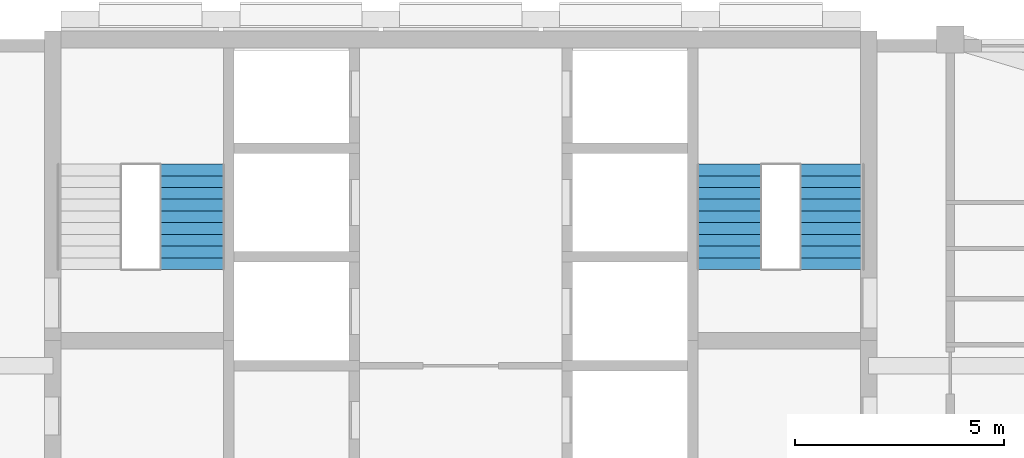
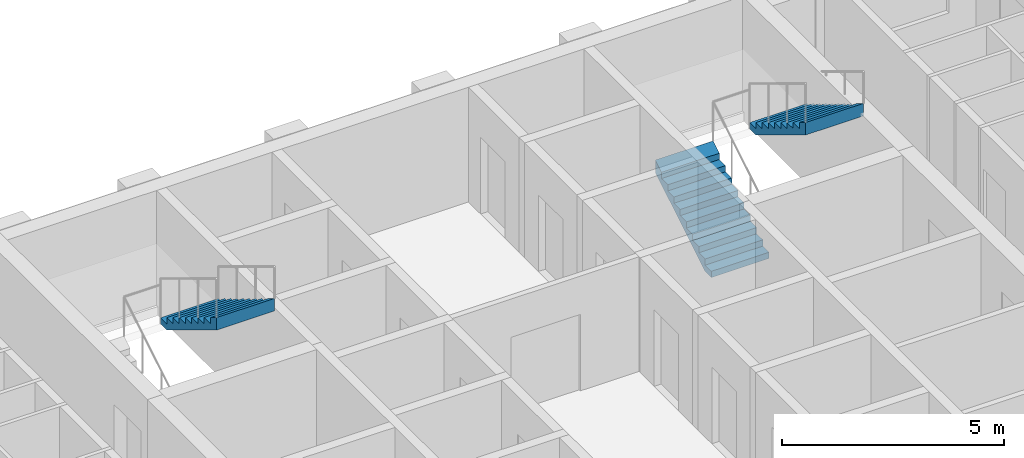
# One storey, part 11 of 13: 3 stair flights, 2 elements without a shape of their own.
"""IFC4 building model written with IfcOpenShell, lengths in metres."""

from ifc_helpers import new_model, si_unit, direction, frame, origin, place, context, subcontext, project, spatial, triangles, material, type_object, element, aggregate, save


model = new_model("IFC4")

# Units and contexts
model_context = context("Model", 3, precision=1e-05, world=origin(), true_north=direction((0.0, 1.0)))
body_context = subcontext(model_context, "Body", "Model", "MODEL_VIEW")
ifc_project = project(units=[si_unit("LENGTHUNIT", "METRE"), si_unit("AREAUNIT", "SQUARE_METRE"), si_unit("VOLUMEUNIT", "CUBIC_METRE"), si_unit("PLANEANGLEUNIT", "RADIAN"), si_unit("MASSUNIT", "GRAM", prefix="KILO")], contexts=[model_context])

# Site, building, storey
site_placement = place(None, origin())
site = spatial("IfcSite", under=ifc_project, at=site_placement, CompositionType="ELEMENT")
building_placement = place(site_placement, origin())
building = spatial("IfcBuilding", under=site, at=building_placement, Name="Ludao Terraces", CompositionType="ELEMENT")
storey_placement = place(building_placement, frame((0.0, 0.0, 252.800048828125)))
storey = spatial("IfcBuildingStorey", under=building, at=storey_placement, Name="L69", CompositionType="ELEMENT", Elevation=252.800048828125)

# Stair, stair flight
ifc_material = material(Name="Concrete C40", Category="concrete")
stair_type = type_object("IfcStairType", Name="INT Stair", PredefinedType="HALF_TURN_STAIR", material=ifc_material)
stair_1_placement = place(storey_placement, origin())
stair_1 = element("IfcStair", 1, at=stair_1_placement, inside=storey, type_object=stair_type, Name="EXIT STAIR 1", PredefinedType="HALF_TURN_STAIR")
stair_flight_type = type_object("IfcStairFlightType", Name="INT Stair flight", PredefinedType="STRAIGHT", material=ifc_material)
stair_flight_1_placement = place(storey_placement, frame((78.574951171875, 81.52001953125, 1.699951171875), z_axis=(0.0, 0.0, 1.0), x_axis=(0.0, -1.0, 0.0)))
stair_flight_1 = element("IfcStairFlight", 2, at=stair_flight_1_placement, type_object=stair_flight_type, Name="ST1 flight 2", NumberOfRisers=10, NumberOfTreads=9, PredefinedType="STRAIGHT", RiserHeight=0.17, TreadLength=0.28, context=body_context, shape_type="Tessellation", body=[
    triangles([(0.0, -0.75, 0.0), (0.0, -0.5, 0.0), (0.0, -0.25, 0.0), (0.0, 0.0, 0.0), (0.0, 0.25, 0.0), (0.0, 0.5, 0.0), (0.0, 0.75, 0.0), (0.0, -0.75, 0.169921875), (0.0, -0.5, 0.169921875), (0.0, -0.25, 0.169921875), (0.0, 0.0, 0.169921875), (0.0, 0.25, 0.169921875), (0.0, 0.5, 0.169921875), (0.0, 0.75, 0.169921875), (0.280029296875, -0.75, 0.169921875), (0.280029296875, -0.5, 0.169921875), (0.280029296875, -0.25, 0.169921875), (0.280029296875, 0.0, 0.169921875), (0.280029296875, 0.25, 0.169921875), (0.280029296875, 0.5, 0.169921875), (0.280029296875, 0.75, 0.169921875), (0.280029296875, -0.75, 0.340087890625), (0.280029296875, -0.5, 0.340087890625), (0.280029296875, -0.25, 0.340087890625), (0.280029296875, 0.0, 0.340087890625), (0.280029296875, 0.25, 0.340087890625), (0.280029296875, 0.5, 0.340087890625), (0.280029296875, 0.75, 0.340087890625), (0.56005859375, -0.75, 0.340087890625), (0.56005859375, -0.5, 0.340087890625), (0.56005859375, -0.25, 0.340087890625), (0.56005859375, 0.0, 0.340087890625), (0.56005859375, 0.25, 0.340087890625), (0.56005859375, 0.5, 0.340087890625), (0.56005859375, 0.75, 0.340087890625), (0.56005859375, -0.75, 0.510009765625), (0.56005859375, -0.5, 0.510009765625), (0.56005859375, -0.25, 0.510009765625), (0.56005859375, 0.0, 0.510009765625), (0.56005859375, 0.25, 0.510009765625), (0.56005859375, 0.5, 0.510009765625), (0.56005859375, 0.75, 0.510009765625), (0.840087890625, -0.75, 0.510009765625), (0.840087890625, -0.5, 0.510009765625), (0.840087890625, -0.25, 0.510009765625), (0.840087890625, 0.0, 0.510009765625), (0.840087890625, 0.25, 0.510009765625), (0.840087890625, 0.5, 0.510009765625), (0.840087890625, 0.75, 0.510009765625), (0.840087890625, -0.75, 0.679931640625), (0.840087890625, -0.5, 0.679931640625), (0.840087890625, -0.25, 0.679931640625), (0.840087890625, 0.0, 0.679931640625), (0.840087890625, 0.25, 0.679931640625), (0.840087890625, 0.5, 0.679931640625), (0.840087890625, 0.75, 0.679931640625), (1.1201171875, -0.75, 0.679931640625), (1.1201171875, -0.5, 0.679931640625), (1.1201171875, -0.25, 0.679931640625), (1.1201171875, 0.0, 0.679931640625), (1.1201171875, 0.25, 0.679931640625), (1.1201171875, 0.5, 0.679931640625), (1.1201171875, 0.75, 0.679931640625), (1.1201171875, -0.75, 0.85009765625), (1.1201171875, -0.5, 0.85009765625), (1.1201171875, -0.25, 0.85009765625), (1.1201171875, 0.0, 0.85009765625), (1.1201171875, 0.25, 0.85009765625), (1.1201171875, 0.5, 0.85009765625), (1.1201171875, 0.75, 0.85009765625), (1.39990234375, -0.75, 0.85009765625), (1.39990234375, -0.5, 0.85009765625), (1.39990234375, -0.25, 0.85009765625), (1.39990234375, 0.0, 0.85009765625), (1.39990234375, 0.25, 0.85009765625), (1.39990234375, 0.5, 0.85009765625), (1.39990234375, 0.75, 0.85009765625), (1.39990234375, -0.75, 1.02001953125), (1.39990234375, -0.5, 1.02001953125), (1.39990234375, -0.25, 1.02001953125), (1.39990234375, 0.0, 1.02001953125), (1.39990234375, 0.25, 1.02001953125), (1.39990234375, 0.5, 1.02001953125), (1.39990234375, 0.75, 1.02001953125), (1.679931640625, -0.75, 1.02001953125), (1.679931640625, -0.5, 1.02001953125), (1.679931640625, -0.25, 1.02001953125), (1.679931640625, 0.0, 1.02001953125), (1.679931640625, 0.25, 1.02001953125), (1.679931640625, 0.5, 1.02001953125), (1.679931640625, 0.75, 1.02001953125), (1.679931640625, -0.75, 1.18994140625), (1.679931640625, -0.5, 1.18994140625), (1.679931640625, -0.25, 1.18994140625), (1.679931640625, 0.0, 1.18994140625), (1.679931640625, 0.25, 1.18994140625), (1.679931640625, 0.5, 1.18994140625), (1.679931640625, 0.75, 1.18994140625), (1.9599609375, -0.75, 1.18994140625), (1.9599609375, -0.5, 1.18994140625), (1.9599609375, -0.25, 1.18994140625), (1.9599609375, 0.0, 1.18994140625), (1.9599609375, 0.25, 1.18994140625), (1.9599609375, 0.5, 1.18994140625), (1.9599609375, 0.75, 1.18994140625), (1.9599609375, -0.75, 1.360107421875), (1.9599609375, -0.5, 1.360107421875), (1.9599609375, -0.25, 1.360107421875), (1.9599609375, 0.0, 1.360107421875), (1.9599609375, 0.25, 1.360107421875), (1.9599609375, 0.5, 1.360107421875), (1.9599609375, 0.75, 1.360107421875), (2.239990234375, -0.75, 1.360107421875), (2.239990234375, -0.5, 1.360107421875), (2.239990234375, -0.25, 1.360107421875), (2.239990234375, 0.0, 1.360107421875), (2.239990234375, 0.25, 1.360107421875), (2.239990234375, 0.5, 1.360107421875), (2.239990234375, 0.75, 1.360107421875), (2.239990234375, -0.75, 1.530029296875), (2.239990234375, -0.5, 1.530029296875), (2.239990234375, -0.25, 1.530029296875), (2.239990234375, 0.0, 1.530029296875), (2.239990234375, 0.25, 1.530029296875), (2.239990234375, 0.5, 1.530029296875), (2.239990234375, 0.75, 1.530029296875), (2.52001953125, -0.75, 1.699951171875), (2.52001953125, -0.5, 1.699951171875), (2.52001953125, -0.25, 1.699951171875), (2.52001953125, 0.0, 1.699951171875), (2.52001953125, 0.25, 1.699951171875), (2.52001953125, 0.5, 1.699951171875), (2.52001953125, 0.75, 1.699951171875), (2.52001953125, -0.75, 1.354736328125), (2.52001953125, -0.5, 1.354736328125), (2.52001953125, -0.25, 1.354736328125), (2.52001953125, 0.0, 1.354736328125), (2.52001953125, 0.25, 1.354736328125), (2.52001953125, 0.5, 1.354736328125), (2.52001953125, 0.75, 1.354736328125), (0.288818359375, -0.75, 0.0), (0.288818359375, -0.5, 0.0), (0.288818359375, -0.25, 0.0), (0.288818359375, 0.0, 0.0), (0.288818359375, 0.25, 0.0), (0.288818359375, 0.5, 0.0), (0.288818359375, 0.75, 0.0)], [[1, 141, 134], [7, 140, 147], [134, 127, 120], [140, 126, 133], [134, 120, 113], [140, 119, 126], [134, 113, 106], [140, 112, 119], [134, 106, 99], [140, 105, 112], [99, 92, 85], [105, 91, 98], [134, 99, 85], [140, 91, 105], [85, 78, 71], [91, 77, 84], [134, 85, 71], [140, 77, 91], [71, 64, 57], [77, 63, 70], [134, 71, 57], [140, 63, 77], [57, 50, 43], [63, 49, 56], [134, 57, 43], [140, 49, 63], [43, 36, 29], [49, 35, 42], [134, 43, 29], [140, 35, 49], [29, 22, 15], [35, 21, 28], [134, 29, 15], [140, 21, 35], [1, 134, 15], [7, 21, 140], [15, 8, 1], [21, 7, 14], [1, 9, 2], [1, 8, 9], [2, 10, 3], [2, 9, 10], [3, 11, 4], [3, 10, 11], [4, 12, 5], [4, 11, 12], [5, 13, 6], [5, 12, 13], [6, 14, 7], [6, 13, 14], [8, 16, 9], [8, 15, 16], [9, 17, 10], [9, 16, 17], [10, 18, 11], [10, 17, 18], [11, 19, 12], [11, 18, 19], [12, 20, 13], [12, 19, 20], [13, 21, 14], [13, 20, 21], [15, 23, 16], [15, 22, 23], [16, 24, 17], [16, 23, 24], [17, 25, 18], [17, 24, 25], [18, 26, 19], [18, 25, 26], [19, 27, 20], [19, 26, 27], [20, 28, 21], [20, 27, 28], [22, 30, 23], [22, 29, 30], [23, 31, 24], [23, 30, 31], [24, 32, 25], [24, 31, 32], [25, 33, 26], [25, 32, 33], [26, 34, 27], [26, 33, 34], [27, 35, 28], [27, 34, 35], [29, 37, 30], [29, 36, 37], [30, 38, 31], [30, 37, 38], [31, 39, 32], [31, 38, 39], [32, 40, 33], [32, 39, 40], [33, 41, 34], [33, 40, 41], [34, 42, 35], [34, 41, 42], [36, 44, 37], [36, 43, 44], [37, 45, 38], [37, 44, 45], [38, 46, 39], [38, 45, 46], [39, 47, 40], [39, 46, 47], [40, 48, 41], [40, 47, 48], [41, 49, 42], [41, 48, 49], [43, 51, 44], [43, 50, 51], [44, 52, 45], [44, 51, 52], [45, 53, 46], [45, 52, 53], [46, 54, 47], [46, 53, 54], [47, 55, 48], [47, 54, 55], [48, 56, 49], [48, 55, 56], [50, 58, 51], [50, 57, 58], [51, 59, 52], [51, 58, 59], [52, 60, 53], [52, 59, 60], [53, 61, 54], [53, 60, 61], [54, 62, 55], [54, 61, 62], [55, 63, 56], [55, 62, 63], [57, 65, 58], [57, 64, 65], [58, 66, 59], [58, 65, 66], [59, 67, 60], [59, 66, 67], [60, 68, 61], [60, 67, 68], [61, 69, 62], [61, 68, 69], [62, 70, 63], [62, 69, 70], [64, 72, 65], [64, 71, 72], [65, 73, 66], [65, 72, 73], [66, 74, 67], [66, 73, 74], [67, 75, 68], [67, 74, 75], [68, 76, 69], [68, 75, 76], [69, 77, 70], [69, 76, 77], [71, 79, 72], [71, 78, 79], [72, 80, 73], [72, 79, 80], [73, 81, 74], [73, 80, 81], [74, 82, 75], [74, 81, 82], [75, 83, 76], [75, 82, 83], [76, 84, 77], [76, 83, 84], [78, 86, 79], [78, 85, 86], [79, 87, 80], [79, 86, 87], [80, 88, 81], [80, 87, 88], [81, 89, 82], [81, 88, 89], [82, 90, 83], [82, 89, 90], [83, 91, 84], [83, 90, 91], [85, 93, 86], [85, 92, 93], [86, 94, 87], [86, 93, 94], [87, 95, 88], [87, 94, 95], [88, 96, 89], [88, 95, 96], [89, 97, 90], [89, 96, 97], [90, 98, 91], [90, 97, 98], [92, 100, 93], [92, 99, 100], [93, 101, 94], [93, 100, 101], [94, 102, 95], [94, 101, 102], [95, 103, 96], [95, 102, 103], [96, 104, 97], [96, 103, 104], [97, 105, 98], [97, 104, 105], [99, 107, 100], [99, 106, 107], [100, 108, 101], [100, 107, 108], [101, 109, 102], [101, 108, 109], [102, 110, 103], [102, 109, 110], [103, 111, 104], [103, 110, 111], [104, 112, 105], [104, 111, 112], [106, 114, 107], [106, 113, 114], [107, 115, 108], [107, 114, 115], [108, 116, 109], [108, 115, 116], [109, 117, 110], [109, 116, 117], [110, 118, 111], [110, 117, 118], [111, 119, 112], [111, 118, 119], [113, 121, 114], [113, 120, 121], [114, 122, 115], [114, 121, 122], [115, 123, 116], [115, 122, 123], [116, 124, 117], [116, 123, 124], [117, 125, 118], [117, 124, 125], [118, 126, 119], [118, 125, 126], [120, 128, 121], [120, 127, 128], [121, 129, 122], [121, 128, 129], [122, 130, 123], [122, 129, 130], [123, 131, 124], [123, 130, 131], [124, 132, 125], [124, 131, 132], [125, 133, 126], [125, 132, 133], [127, 135, 128], [127, 134, 135], [128, 136, 129], [128, 135, 136], [129, 137, 130], [129, 136, 137], [130, 138, 131], [130, 137, 138], [131, 139, 132], [131, 138, 139], [132, 140, 133], [132, 139, 140], [134, 142, 135], [134, 141, 142], [135, 143, 136], [135, 142, 143], [136, 144, 137], [136, 143, 144], [137, 145, 138], [137, 144, 145], [138, 146, 139], [138, 145, 146], [139, 147, 140], [139, 146, 147], [141, 2, 142], [141, 1, 2], [142, 3, 143], [142, 2, 3], [143, 4, 144], [143, 3, 4], [144, 5, 145], [144, 4, 5], [145, 6, 146], [145, 5, 6], [146, 7, 147], [146, 6, 7]], closed=True),
])
aggregate(stair_1, [stair_flight_1])

# Stair, stair flights
stair_2_placement = place(storey_placement, origin())
stair_2 = element("IfcStair", 3, at=stair_2_placement, inside=storey, type_object=stair_type, Name="EXIT STAIR 2", PredefinedType="HALF_TURN_STAIR")
stair_flight_2_placement = place(storey_placement, frame((91.425048828125, 79.0, 0.0), z_axis=(0.0, 0.0, 1.0), x_axis=(0.0, 1.0, 0.0)))
stair_flight_2 = element("IfcStairFlight", 4, at=stair_flight_2_placement, type_object=stair_flight_type, Name="ST2 flight 1", NumberOfRisers=10, NumberOfTreads=9, PredefinedType="STRAIGHT", RiserHeight=0.17, TreadLength=0.28, context=body_context, shape_type="Tessellation", body=[
    triangles([(0.0, -0.75, 0.0), (0.0, -0.5, 0.0), (0.0, -0.25, 0.0), (0.0, 0.0, 0.0), (0.0, 0.25, 0.0), (0.0, 0.5, 0.0), (0.0, 0.75, 0.0), (0.0, -0.75, 0.169921875), (0.0, -0.5, 0.169921875), (0.0, -0.25, 0.169921875), (0.0, 0.0, 0.169921875), (0.0, 0.25, 0.169921875), (0.0, 0.5, 0.169921875), (0.0, 0.75, 0.169921875), (0.280029296875, -0.75, 0.169921875), (0.280029296875, -0.5, 0.169921875), (0.280029296875, -0.25, 0.169921875), (0.280029296875, 0.0, 0.169921875), (0.280029296875, 0.25, 0.169921875), (0.280029296875, 0.5, 0.169921875), (0.280029296875, 0.75, 0.169921875), (0.280029296875, -0.75, 0.340087890625), (0.280029296875, -0.5, 0.340087890625), (0.280029296875, -0.25, 0.340087890625), (0.280029296875, 0.0, 0.340087890625), (0.280029296875, 0.25, 0.340087890625), (0.280029296875, 0.5, 0.340087890625), (0.280029296875, 0.75, 0.340087890625), (0.56005859375, -0.75, 0.340087890625), (0.56005859375, -0.5, 0.340087890625), (0.56005859375, -0.25, 0.340087890625), (0.56005859375, 0.0, 0.340087890625), (0.56005859375, 0.25, 0.340087890625), (0.56005859375, 0.5, 0.340087890625), (0.56005859375, 0.75, 0.340087890625), (0.56005859375, -0.75, 0.510009765625), (0.56005859375, -0.5, 0.510009765625), (0.56005859375, -0.25, 0.510009765625), (0.56005859375, 0.0, 0.510009765625), (0.56005859375, 0.25, 0.510009765625), (0.56005859375, 0.5, 0.510009765625), (0.56005859375, 0.75, 0.510009765625), (0.840087890625, -0.75, 0.510009765625), (0.840087890625, -0.5, 0.510009765625), (0.840087890625, -0.25, 0.510009765625), (0.840087890625, 0.0, 0.510009765625), (0.840087890625, 0.25, 0.510009765625), (0.840087890625, 0.5, 0.510009765625), (0.840087890625, 0.75, 0.510009765625), (0.840087890625, -0.75, 0.679931640625), (0.840087890625, -0.5, 0.679931640625), (0.840087890625, -0.25, 0.679931640625), (0.840087890625, 0.0, 0.679931640625), (0.840087890625, 0.25, 0.679931640625), (0.840087890625, 0.5, 0.679931640625), (0.840087890625, 0.75, 0.679931640625), (1.1201171875, -0.75, 0.679931640625), (1.1201171875, -0.5, 0.679931640625), (1.1201171875, -0.25, 0.679931640625), (1.1201171875, 0.0, 0.679931640625), (1.1201171875, 0.25, 0.679931640625), (1.1201171875, 0.5, 0.679931640625), (1.1201171875, 0.75, 0.679931640625), (1.1201171875, -0.75, 0.85009765625), (1.1201171875, -0.5, 0.85009765625), (1.1201171875, -0.25, 0.85009765625), (1.1201171875, 0.0, 0.85009765625), (1.1201171875, 0.25, 0.85009765625), (1.1201171875, 0.5, 0.85009765625), (1.1201171875, 0.75, 0.85009765625), (1.39990234375, -0.75, 0.85009765625), (1.39990234375, -0.5, 0.85009765625), (1.39990234375, -0.25, 0.85009765625), (1.39990234375, 0.0, 0.85009765625), (1.39990234375, 0.25, 0.85009765625), (1.39990234375, 0.5, 0.85009765625), (1.39990234375, 0.75, 0.85009765625), (1.39990234375, -0.75, 1.02001953125), (1.39990234375, -0.5, 1.02001953125), (1.39990234375, -0.25, 1.02001953125), (1.39990234375, 0.0, 1.02001953125), (1.39990234375, 0.25, 1.02001953125), (1.39990234375, 0.5, 1.02001953125), (1.39990234375, 0.75, 1.02001953125), (1.679931640625, -0.75, 1.02001953125), (1.679931640625, -0.5, 1.02001953125), (1.679931640625, -0.25, 1.02001953125), (1.679931640625, 0.0, 1.02001953125), (1.679931640625, 0.25, 1.02001953125), (1.679931640625, 0.5, 1.02001953125), (1.679931640625, 0.75, 1.02001953125), (1.679931640625, -0.75, 1.18994140625), (1.679931640625, -0.5, 1.18994140625), (1.679931640625, -0.25, 1.18994140625), (1.679931640625, 0.0, 1.18994140625), (1.679931640625, 0.25, 1.18994140625), (1.679931640625, 0.5, 1.18994140625), (1.679931640625, 0.75, 1.18994140625), (1.9599609375, -0.75, 1.18994140625), (1.9599609375, -0.5, 1.18994140625), (1.9599609375, -0.25, 1.18994140625), (1.9599609375, 0.0, 1.18994140625), (1.9599609375, 0.25, 1.18994140625), (1.9599609375, 0.5, 1.18994140625), (1.9599609375, 0.75, 1.18994140625), (1.9599609375, -0.75, 1.360107421875), (1.9599609375, -0.5, 1.360107421875), (1.9599609375, -0.25, 1.360107421875), (1.9599609375, 0.0, 1.360107421875), (1.9599609375, 0.25, 1.360107421875), (1.9599609375, 0.5, 1.360107421875), (1.9599609375, 0.75, 1.360107421875), (2.239990234375, -0.75, 1.360107421875), (2.239990234375, -0.5, 1.360107421875), (2.239990234375, -0.25, 1.360107421875), (2.239990234375, 0.0, 1.360107421875), (2.239990234375, 0.25, 1.360107421875), (2.239990234375, 0.5, 1.360107421875), (2.239990234375, 0.75, 1.360107421875), (2.239990234375, -0.75, 1.530029296875), (2.239990234375, -0.5, 1.530029296875), (2.239990234375, -0.25, 1.530029296875), (2.239990234375, 0.0, 1.530029296875), (2.239990234375, 0.25, 1.530029296875), (2.239990234375, 0.5, 1.530029296875), (2.239990234375, 0.75, 1.530029296875), (2.52001953125, -0.75, 1.699951171875), (2.52001953125, -0.5, 1.699951171875), (2.52001953125, -0.25, 1.699951171875), (2.52001953125, 0.0, 1.699951171875), (2.52001953125, 0.25, 1.699951171875), (2.52001953125, 0.5, 1.699951171875), (2.52001953125, 0.75, 1.699951171875), (2.52001953125, -0.75, 1.354736328125), (2.52001953125, -0.5, 1.354736328125), (2.52001953125, -0.25, 1.354736328125), (2.52001953125, 0.0, 1.354736328125), (2.52001953125, 0.25, 1.354736328125), (2.52001953125, 0.5, 1.354736328125), (2.52001953125, 0.75, 1.354736328125), (0.288818359375, -0.75, 0.0), (0.288818359375, -0.5, 0.0), (0.288818359375, -0.25, 0.0), (0.288818359375, 0.0, 0.0), (0.288818359375, 0.25, 0.0), (0.288818359375, 0.5, 0.0), (0.288818359375, 0.75, 0.0)], [[1, 141, 134], [7, 140, 147], [134, 127, 120], [140, 126, 133], [134, 120, 113], [140, 119, 126], [134, 113, 106], [140, 112, 119], [134, 106, 99], [140, 105, 112], [99, 92, 85], [105, 91, 98], [134, 99, 85], [140, 91, 105], [85, 78, 71], [91, 77, 84], [134, 85, 71], [140, 77, 91], [71, 64, 57], [77, 63, 70], [134, 71, 57], [140, 63, 77], [57, 50, 43], [63, 49, 56], [134, 57, 43], [140, 49, 63], [43, 36, 29], [49, 35, 42], [134, 43, 29], [140, 35, 49], [29, 22, 15], [35, 21, 28], [134, 29, 15], [140, 21, 35], [1, 134, 15], [7, 21, 140], [15, 8, 1], [21, 7, 14], [1, 9, 2], [1, 8, 9], [2, 10, 3], [2, 9, 10], [3, 11, 4], [3, 10, 11], [4, 12, 5], [4, 11, 12], [5, 13, 6], [5, 12, 13], [6, 14, 7], [6, 13, 14], [8, 16, 9], [8, 15, 16], [9, 17, 10], [9, 16, 17], [10, 18, 11], [10, 17, 18], [11, 19, 12], [11, 18, 19], [12, 20, 13], [12, 19, 20], [13, 21, 14], [13, 20, 21], [15, 23, 16], [15, 22, 23], [16, 24, 17], [16, 23, 24], [17, 25, 18], [17, 24, 25], [18, 26, 19], [18, 25, 26], [19, 27, 20], [19, 26, 27], [20, 28, 21], [20, 27, 28], [22, 30, 23], [22, 29, 30], [23, 31, 24], [23, 30, 31], [24, 32, 25], [24, 31, 32], [25, 33, 26], [25, 32, 33], [26, 34, 27], [26, 33, 34], [27, 35, 28], [27, 34, 35], [29, 37, 30], [29, 36, 37], [30, 38, 31], [30, 37, 38], [31, 39, 32], [31, 38, 39], [32, 40, 33], [32, 39, 40], [33, 41, 34], [33, 40, 41], [34, 42, 35], [34, 41, 42], [36, 44, 37], [36, 43, 44], [37, 45, 38], [37, 44, 45], [38, 46, 39], [38, 45, 46], [39, 47, 40], [39, 46, 47], [40, 48, 41], [40, 47, 48], [41, 49, 42], [41, 48, 49], [43, 51, 44], [43, 50, 51], [44, 52, 45], [44, 51, 52], [45, 53, 46], [45, 52, 53], [46, 54, 47], [46, 53, 54], [47, 55, 48], [47, 54, 55], [48, 56, 49], [48, 55, 56], [50, 58, 51], [50, 57, 58], [51, 59, 52], [51, 58, 59], [52, 60, 53], [52, 59, 60], [53, 61, 54], [53, 60, 61], [54, 62, 55], [54, 61, 62], [55, 63, 56], [55, 62, 63], [57, 65, 58], [57, 64, 65], [58, 66, 59], [58, 65, 66], [59, 67, 60], [59, 66, 67], [60, 68, 61], [60, 67, 68], [61, 69, 62], [61, 68, 69], [62, 70, 63], [62, 69, 70], [64, 72, 65], [64, 71, 72], [65, 73, 66], [65, 72, 73], [66, 74, 67], [66, 73, 74], [67, 75, 68], [67, 74, 75], [68, 76, 69], [68, 75, 76], [69, 77, 70], [69, 76, 77], [71, 79, 72], [71, 78, 79], [72, 80, 73], [72, 79, 80], [73, 81, 74], [73, 80, 81], [74, 82, 75], [74, 81, 82], [75, 83, 76], [75, 82, 83], [76, 84, 77], [76, 83, 84], [78, 86, 79], [78, 85, 86], [79, 87, 80], [79, 86, 87], [80, 88, 81], [80, 87, 88], [81, 89, 82], [81, 88, 89], [82, 90, 83], [82, 89, 90], [83, 91, 84], [83, 90, 91], [85, 93, 86], [85, 92, 93], [86, 94, 87], [86, 93, 94], [87, 95, 88], [87, 94, 95], [88, 96, 89], [88, 95, 96], [89, 97, 90], [89, 96, 97], [90, 98, 91], [90, 97, 98], [92, 100, 93], [92, 99, 100], [93, 101, 94], [93, 100, 101], [94, 102, 95], [94, 101, 102], [95, 103, 96], [95, 102, 103], [96, 104, 97], [96, 103, 104], [97, 105, 98], [97, 104, 105], [99, 107, 100], [99, 106, 107], [100, 108, 101], [100, 107, 108], [101, 109, 102], [101, 108, 109], [102, 110, 103], [102, 109, 110], [103, 111, 104], [103, 110, 111], [104, 112, 105], [104, 111, 112], [106, 114, 107], [106, 113, 114], [107, 115, 108], [107, 114, 115], [108, 116, 109], [108, 115, 116], [109, 117, 110], [109, 116, 117], [110, 118, 111], [110, 117, 118], [111, 119, 112], [111, 118, 119], [113, 121, 114], [113, 120, 121], [114, 122, 115], [114, 121, 122], [115, 123, 116], [115, 122, 123], [116, 124, 117], [116, 123, 124], [117, 125, 118], [117, 124, 125], [118, 126, 119], [118, 125, 126], [120, 128, 121], [120, 127, 128], [121, 129, 122], [121, 128, 129], [122, 130, 123], [122, 129, 130], [123, 131, 124], [123, 130, 131], [124, 132, 125], [124, 131, 132], [125, 133, 126], [125, 132, 133], [127, 135, 128], [127, 134, 135], [128, 136, 129], [128, 135, 136], [129, 137, 130], [129, 136, 137], [130, 138, 131], [130, 137, 138], [131, 139, 132], [131, 138, 139], [132, 140, 133], [132, 139, 140], [134, 142, 135], [134, 141, 142], [135, 143, 136], [135, 142, 143], [136, 144, 137], [136, 143, 144], [137, 145, 138], [137, 144, 145], [138, 146, 139], [138, 145, 146], [139, 147, 140], [139, 146, 147], [141, 2, 142], [141, 1, 2], [142, 3, 143], [142, 2, 3], [143, 4, 144], [143, 3, 4], [144, 5, 145], [144, 4, 5], [145, 6, 146], [145, 5, 6], [146, 7, 147], [146, 6, 7]], closed=True),
])
stair_flight_3_placement = place(storey_placement, frame((93.875, 81.52001953125, 1.699951171875), z_axis=(0.0, 0.0, 1.0), x_axis=(0.0, -1.0, 0.0)))
stair_flight_3 = element("IfcStairFlight", 5, at=stair_flight_3_placement, type_object=stair_flight_type, Name="ST2 flight 2", NumberOfRisers=10, NumberOfTreads=9, PredefinedType="STRAIGHT", RiserHeight=0.17, TreadLength=0.28, context=body_context, shape_type="Tessellation", body=[
    triangles([(0.0, -0.75, 0.0), (0.0, -0.5, 0.0), (0.0, -0.25, 0.0), (0.0, 0.0, 0.0), (0.0, 0.25, 0.0), (0.0, 0.5, 0.0), (0.0, 0.75, 0.0), (0.0, -0.75, 0.169921875), (0.0, -0.5, 0.169921875), (0.0, -0.25, 0.169921875), (0.0, 0.0, 0.169921875), (0.0, 0.25, 0.169921875), (0.0, 0.5, 0.169921875), (0.0, 0.75, 0.169921875), (0.280029296875, -0.75, 0.169921875), (0.280029296875, -0.5, 0.169921875), (0.280029296875, -0.25, 0.169921875), (0.280029296875, 0.0, 0.169921875), (0.280029296875, 0.25, 0.169921875), (0.280029296875, 0.5, 0.169921875), (0.280029296875, 0.75, 0.169921875), (0.280029296875, -0.75, 0.340087890625), (0.280029296875, -0.5, 0.340087890625), (0.280029296875, -0.25, 0.340087890625), (0.280029296875, 0.0, 0.340087890625), (0.280029296875, 0.25, 0.340087890625), (0.280029296875, 0.5, 0.340087890625), (0.280029296875, 0.75, 0.340087890625), (0.56005859375, -0.75, 0.340087890625), (0.56005859375, -0.5, 0.340087890625), (0.56005859375, -0.25, 0.340087890625), (0.56005859375, 0.0, 0.340087890625), (0.56005859375, 0.25, 0.340087890625), (0.56005859375, 0.5, 0.340087890625), (0.56005859375, 0.75, 0.340087890625), (0.56005859375, -0.75, 0.510009765625), (0.56005859375, -0.5, 0.510009765625), (0.56005859375, -0.25, 0.510009765625), (0.56005859375, 0.0, 0.510009765625), (0.56005859375, 0.25, 0.510009765625), (0.56005859375, 0.5, 0.510009765625), (0.56005859375, 0.75, 0.510009765625), (0.840087890625, -0.75, 0.510009765625), (0.840087890625, -0.5, 0.510009765625), (0.840087890625, -0.25, 0.510009765625), (0.840087890625, 0.0, 0.510009765625), (0.840087890625, 0.25, 0.510009765625), (0.840087890625, 0.5, 0.510009765625), (0.840087890625, 0.75, 0.510009765625), (0.840087890625, -0.75, 0.679931640625), (0.840087890625, -0.5, 0.679931640625), (0.840087890625, -0.25, 0.679931640625), (0.840087890625, 0.0, 0.679931640625), (0.840087890625, 0.25, 0.679931640625), (0.840087890625, 0.5, 0.679931640625), (0.840087890625, 0.75, 0.679931640625), (1.1201171875, -0.75, 0.679931640625), (1.1201171875, -0.5, 0.679931640625), (1.1201171875, -0.25, 0.679931640625), (1.1201171875, 0.0, 0.679931640625), (1.1201171875, 0.25, 0.679931640625), (1.1201171875, 0.5, 0.679931640625), (1.1201171875, 0.75, 0.679931640625), (1.1201171875, -0.75, 0.85009765625), (1.1201171875, -0.5, 0.85009765625), (1.1201171875, -0.25, 0.85009765625), (1.1201171875, 0.0, 0.85009765625), (1.1201171875, 0.25, 0.85009765625), (1.1201171875, 0.5, 0.85009765625), (1.1201171875, 0.75, 0.85009765625), (1.39990234375, -0.75, 0.85009765625), (1.39990234375, -0.5, 0.85009765625), (1.39990234375, -0.25, 0.85009765625), (1.39990234375, 0.0, 0.85009765625), (1.39990234375, 0.25, 0.85009765625), (1.39990234375, 0.5, 0.85009765625), (1.39990234375, 0.75, 0.85009765625), (1.39990234375, -0.75, 1.02001953125), (1.39990234375, -0.5, 1.02001953125), (1.39990234375, -0.25, 1.02001953125), (1.39990234375, 0.0, 1.02001953125), (1.39990234375, 0.25, 1.02001953125), (1.39990234375, 0.5, 1.02001953125), (1.39990234375, 0.75, 1.02001953125), (1.679931640625, -0.75, 1.02001953125), (1.679931640625, -0.5, 1.02001953125), (1.679931640625, -0.25, 1.02001953125), (1.679931640625, 0.0, 1.02001953125), (1.679931640625, 0.25, 1.02001953125), (1.679931640625, 0.5, 1.02001953125), (1.679931640625, 0.75, 1.02001953125), (1.679931640625, -0.75, 1.18994140625), (1.679931640625, -0.5, 1.18994140625), (1.679931640625, -0.25, 1.18994140625), (1.679931640625, 0.0, 1.18994140625), (1.679931640625, 0.25, 1.18994140625), (1.679931640625, 0.5, 1.18994140625), (1.679931640625, 0.75, 1.18994140625), (1.9599609375, -0.75, 1.18994140625), (1.9599609375, -0.5, 1.18994140625), (1.9599609375, -0.25, 1.18994140625), (1.9599609375, 0.0, 1.18994140625), (1.9599609375, 0.25, 1.18994140625), (1.9599609375, 0.5, 1.18994140625), (1.9599609375, 0.75, 1.18994140625), (1.9599609375, -0.75, 1.360107421875), (1.9599609375, -0.5, 1.360107421875), (1.9599609375, -0.25, 1.360107421875), (1.9599609375, 0.0, 1.360107421875), (1.9599609375, 0.25, 1.360107421875), (1.9599609375, 0.5, 1.360107421875), (1.9599609375, 0.75, 1.360107421875), (2.239990234375, -0.75, 1.360107421875), (2.239990234375, -0.5, 1.360107421875), (2.239990234375, -0.25, 1.360107421875), (2.239990234375, 0.0, 1.360107421875), (2.239990234375, 0.25, 1.360107421875), (2.239990234375, 0.5, 1.360107421875), (2.239990234375, 0.75, 1.360107421875), (2.239990234375, -0.75, 1.530029296875), (2.239990234375, -0.5, 1.530029296875), (2.239990234375, -0.25, 1.530029296875), (2.239990234375, 0.0, 1.530029296875), (2.239990234375, 0.25, 1.530029296875), (2.239990234375, 0.5, 1.530029296875), (2.239990234375, 0.75, 1.530029296875), (2.52001953125, -0.75, 1.699951171875), (2.52001953125, -0.5, 1.699951171875), (2.52001953125, -0.25, 1.699951171875), (2.52001953125, 0.0, 1.699951171875), (2.52001953125, 0.25, 1.699951171875), (2.52001953125, 0.5, 1.699951171875), (2.52001953125, 0.75, 1.699951171875), (2.52001953125, -0.75, 1.354736328125), (2.52001953125, -0.5, 1.354736328125), (2.52001953125, -0.25, 1.354736328125), (2.52001953125, 0.0, 1.354736328125), (2.52001953125, 0.25, 1.354736328125), (2.52001953125, 0.5, 1.354736328125), (2.52001953125, 0.75, 1.354736328125), (0.288818359375, -0.75, 0.0), (0.288818359375, -0.5, 0.0), (0.288818359375, -0.25, 0.0), (0.288818359375, 0.0, 0.0), (0.288818359375, 0.25, 0.0), (0.288818359375, 0.5, 0.0), (0.288818359375, 0.75, 0.0)], [[1, 141, 134], [7, 140, 147], [134, 127, 120], [140, 126, 133], [134, 120, 113], [140, 119, 126], [134, 113, 106], [140, 112, 119], [134, 106, 99], [140, 105, 112], [99, 92, 85], [105, 91, 98], [134, 99, 85], [140, 91, 105], [85, 78, 71], [91, 77, 84], [134, 85, 71], [140, 77, 91], [71, 64, 57], [77, 63, 70], [134, 71, 57], [140, 63, 77], [57, 50, 43], [63, 49, 56], [134, 57, 43], [140, 49, 63], [43, 36, 29], [49, 35, 42], [134, 43, 29], [140, 35, 49], [29, 22, 15], [35, 21, 28], [134, 29, 15], [140, 21, 35], [1, 134, 15], [7, 21, 140], [15, 8, 1], [21, 7, 14], [1, 9, 2], [1, 8, 9], [2, 10, 3], [2, 9, 10], [3, 11, 4], [3, 10, 11], [4, 12, 5], [4, 11, 12], [5, 13, 6], [5, 12, 13], [6, 14, 7], [6, 13, 14], [8, 16, 9], [8, 15, 16], [9, 17, 10], [9, 16, 17], [10, 18, 11], [10, 17, 18], [11, 19, 12], [11, 18, 19], [12, 20, 13], [12, 19, 20], [13, 21, 14], [13, 20, 21], [15, 23, 16], [15, 22, 23], [16, 24, 17], [16, 23, 24], [17, 25, 18], [17, 24, 25], [18, 26, 19], [18, 25, 26], [19, 27, 20], [19, 26, 27], [20, 28, 21], [20, 27, 28], [22, 30, 23], [22, 29, 30], [23, 31, 24], [23, 30, 31], [24, 32, 25], [24, 31, 32], [25, 33, 26], [25, 32, 33], [26, 34, 27], [26, 33, 34], [27, 35, 28], [27, 34, 35], [29, 37, 30], [29, 36, 37], [30, 38, 31], [30, 37, 38], [31, 39, 32], [31, 38, 39], [32, 40, 33], [32, 39, 40], [33, 41, 34], [33, 40, 41], [34, 42, 35], [34, 41, 42], [36, 44, 37], [36, 43, 44], [37, 45, 38], [37, 44, 45], [38, 46, 39], [38, 45, 46], [39, 47, 40], [39, 46, 47], [40, 48, 41], [40, 47, 48], [41, 49, 42], [41, 48, 49], [43, 51, 44], [43, 50, 51], [44, 52, 45], [44, 51, 52], [45, 53, 46], [45, 52, 53], [46, 54, 47], [46, 53, 54], [47, 55, 48], [47, 54, 55], [48, 56, 49], [48, 55, 56], [50, 58, 51], [50, 57, 58], [51, 59, 52], [51, 58, 59], [52, 60, 53], [52, 59, 60], [53, 61, 54], [53, 60, 61], [54, 62, 55], [54, 61, 62], [55, 63, 56], [55, 62, 63], [57, 65, 58], [57, 64, 65], [58, 66, 59], [58, 65, 66], [59, 67, 60], [59, 66, 67], [60, 68, 61], [60, 67, 68], [61, 69, 62], [61, 68, 69], [62, 70, 63], [62, 69, 70], [64, 72, 65], [64, 71, 72], [65, 73, 66], [65, 72, 73], [66, 74, 67], [66, 73, 74], [67, 75, 68], [67, 74, 75], [68, 76, 69], [68, 75, 76], [69, 77, 70], [69, 76, 77], [71, 79, 72], [71, 78, 79], [72, 80, 73], [72, 79, 80], [73, 81, 74], [73, 80, 81], [74, 82, 75], [74, 81, 82], [75, 83, 76], [75, 82, 83], [76, 84, 77], [76, 83, 84], [78, 86, 79], [78, 85, 86], [79, 87, 80], [79, 86, 87], [80, 88, 81], [80, 87, 88], [81, 89, 82], [81, 88, 89], [82, 90, 83], [82, 89, 90], [83, 91, 84], [83, 90, 91], [85, 93, 86], [85, 92, 93], [86, 94, 87], [86, 93, 94], [87, 95, 88], [87, 94, 95], [88, 96, 89], [88, 95, 96], [89, 97, 90], [89, 96, 97], [90, 98, 91], [90, 97, 98], [92, 100, 93], [92, 99, 100], [93, 101, 94], [93, 100, 101], [94, 102, 95], [94, 101, 102], [95, 103, 96], [95, 102, 103], [96, 104, 97], [96, 103, 104], [97, 105, 98], [97, 104, 105], [99, 107, 100], [99, 106, 107], [100, 108, 101], [100, 107, 108], [101, 109, 102], [101, 108, 109], [102, 110, 103], [102, 109, 110], [103, 111, 104], [103, 110, 111], [104, 112, 105], [104, 111, 112], [106, 114, 107], [106, 113, 114], [107, 115, 108], [107, 114, 115], [108, 116, 109], [108, 115, 116], [109, 117, 110], [109, 116, 117], [110, 118, 111], [110, 117, 118], [111, 119, 112], [111, 118, 119], [113, 121, 114], [113, 120, 121], [114, 122, 115], [114, 121, 122], [115, 123, 116], [115, 122, 123], [116, 124, 117], [116, 123, 124], [117, 125, 118], [117, 124, 125], [118, 126, 119], [118, 125, 126], [120, 128, 121], [120, 127, 128], [121, 129, 122], [121, 128, 129], [122, 130, 123], [122, 129, 130], [123, 131, 124], [123, 130, 131], [124, 132, 125], [124, 131, 132], [125, 133, 126], [125, 132, 133], [127, 135, 128], [127, 134, 135], [128, 136, 129], [128, 135, 136], [129, 137, 130], [129, 136, 137], [130, 138, 131], [130, 137, 138], [131, 139, 132], [131, 138, 139], [132, 140, 133], [132, 139, 140], [134, 142, 135], [134, 141, 142], [135, 143, 136], [135, 142, 143], [136, 144, 137], [136, 143, 144], [137, 145, 138], [137, 144, 145], [138, 146, 139], [138, 145, 146], [139, 147, 140], [139, 146, 147], [141, 2, 142], [141, 1, 2], [142, 3, 143], [142, 2, 3], [143, 4, 144], [143, 3, 4], [144, 5, 145], [144, 4, 5], [145, 6, 146], [145, 5, 6], [146, 7, 147], [146, 6, 7]], closed=True),
])
aggregate(stair_2, [stair_flight_2, stair_flight_3])

save(model, "model.ifc")
